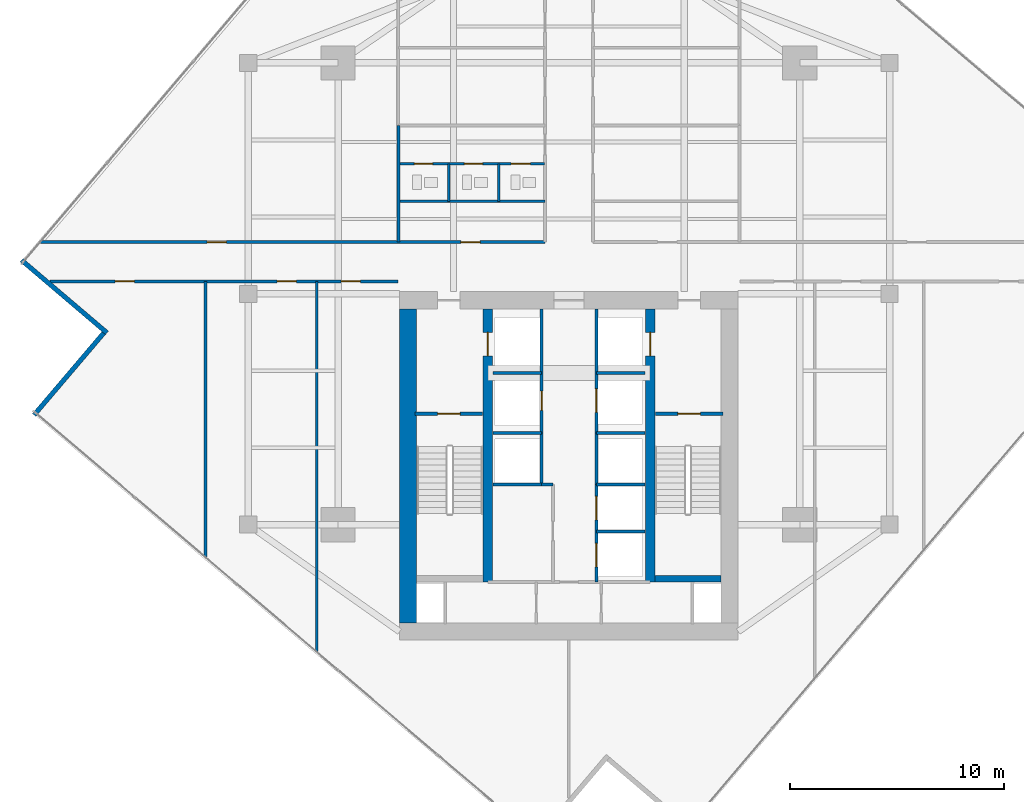
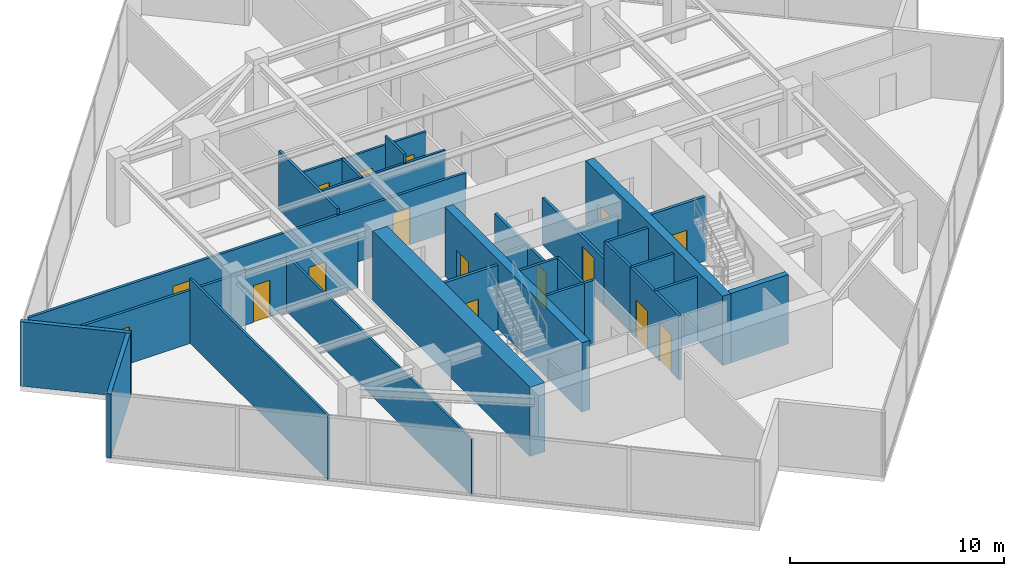
# One storey, part 22 of 26: 30 walls, 16 doors, 16 openings.
"""IFC4 building model written with IfcOpenShell, lengths in metres."""

import ifcopenshell
import ifcopenshell.guid

model = None  # the IFC model being written
_history = None  # IfcOwnerHistory: only IFC2X3 demands one
_inside = {}  # id of a spatial element -> (the spatial element, [elements in it])
_under = {}  # id of a project, library or spatial element -> (it, [spatial elements below it])
_declared = {}  # id of a project -> (the project, [libraries it declares])
_typed = {}  # id of a type object -> (the type object, [elements of that type])
_made_of = {}  # id of a material, layer set ... -> (it, [elements and type objects made of it])


def new_model(schema):
    """Start an empty IFC model of exactly this schema.

    Asked for "IFC4X3", IfcOpenShell would pick the latest addendum, in which some entities
    have other attributes; the version numbers below select the first issue.
    IFC2X3 requires an IfcOwnerHistory on every rooted entity: one is made here for all.
    """
    global model, _history
    if schema == "IFC4X3":
        model = ifcopenshell.file(schema_version=(4, 3, 0, 0))
    else:
        model = ifcopenshell.file(schema=schema)
    _inside.clear()
    _under.clear()
    _declared.clear()
    _typed.clear()
    _made_of.clear()
    _history = None
    if model.schema == "IFC2X3":
        org = make("IfcOrganization", Name="unknown")
        user = make(
            "IfcPersonAndOrganization",
            ThePerson=make("IfcPerson", FamilyName="unknown"),
            TheOrganization=org,
        )
        app = make(
            "IfcApplication",
            ApplicationDeveloper=org,
            Version="unknown",
            ApplicationFullName="unknown",
            ApplicationIdentifier="unknown",
        )
        _history = make(
            "IfcOwnerHistory",
            OwningUser=user,
            OwningApplication=app,
            ChangeAction="ADDED",
            CreationDate=0,
        )
    return model


def make(cls, **values):
    """One entity of the class cls with the attributes given. An attribute that is None is left unset."""
    return model.create_entity(
        cls, **{name: value for name, value in values.items() if value is not None}
    )


def rooted(cls, **values):
    """An entity with a GlobalId (a new one), such as an element, a storey or a relation."""
    return make(cls, GlobalId=ifcopenshell.guid.new(), OwnerHistory=_history, **values)


def si_unit(unit_type, name, prefix=None):
    """IfcSIUnit, for example si_unit("LENGTHUNIT", "METRE", prefix="MILLI")."""
    return make("IfcSIUnit", UnitType=unit_type, Prefix=prefix, Name=name)


def assignment(units):
    """IfcUnitAssignment: the units of a project."""
    return None if units is None else make("IfcUnitAssignment", Units=units)


def point(xyz):
    """IfcCartesianPoint."""
    return None if xyz is None else make("IfcCartesianPoint", Coordinates=xyz)


def direction(xyz):
    """IfcDirection."""
    return None if xyz is None else make("IfcDirection", DirectionRatios=xyz)


def frame(location, z_axis=None, x_axis=None):
    """IfcAxis2Placement3D, a coordinate frame: its origin and axes. An axis left out is left unset."""
    return make(
        "IfcAxis2Placement3D",
        Location=point(location),
        Axis=direction(z_axis),
        RefDirection=direction(x_axis),
    )


def frame_2d(location, x_axis=None):
    """IfcAxis2Placement2D, a coordinate frame in the plane: its origin and x axis."""
    return make(
        "IfcAxis2Placement2D", Location=point(location), RefDirection=direction(x_axis)
    )


def origin():
    """The frame at (0, 0, 0) with its axes left unset."""
    return frame((0.0, 0.0, 0.0))


def place(relative_to, where):
    """IfcLocalPlacement: puts the frame where relative to a parent placement (None: the world)."""
    return make(
        "IfcLocalPlacement", PlacementRelTo=relative_to, RelativePlacement=where
    )


def context(
    kind, dimensions, precision=None, world=None, true_north=None, identifier=None
):
    """IfcGeometricRepresentationContext, for example the 3D "Model" context."""
    return make(
        "IfcGeometricRepresentationContext",
        ContextIdentifier=identifier,
        ContextType=kind,
        CoordinateSpaceDimension=dimensions,
        Precision=precision,
        WorldCoordinateSystem=world,
        TrueNorth=true_north,
    )


def subcontext(parent, identifier, kind, view, scale=None):
    """IfcGeometricRepresentationSubContext, for example "Body" below "Model"."""
    return make(
        "IfcGeometricRepresentationSubContext",
        ContextIdentifier=identifier,
        ContextType=kind,
        ParentContext=parent,
        TargetScale=scale,
        TargetView=view,
    )


def project(units=None, contexts=None):
    """IfcProject with its units and contexts."""
    return rooted(
        "IfcProject",
        Name="project",
        RepresentationContexts=contexts,
        UnitsInContext=assignment(units),
    )


def spatial(cls, under=None, at=None, **own):
    """A site, building, storey or space (cls), placed at a placement, below another one or the project."""
    s = rooted(cls, ObjectPlacement=at, **own)
    if under is not None:
        _under.setdefault(under.id(), (under, []))[1].append(s)
    return s


def profile(cls, at=None, kind="AREA", **sizes):
    """A parametric profile (cls). Its sizes go by their IFC names, for example OverallWidth=200.0."""
    return make(cls, ProfileType=kind, Position=at, **sizes)


def rectangle(**sizes):
    """IfcRectangleProfileDef."""
    return profile("IfcRectangleProfileDef", **sizes)


def extrude(swept, where, along, depth):
    """IfcExtrudedAreaSolid: the profile swept, set in the frame where, extruded along a direction by depth."""
    return make(
        "IfcExtrudedAreaSolid",
        SweptArea=swept,
        Position=where,
        ExtrudedDirection=direction(along),
        Depth=depth,
    )


def shape(context_of_items, identifier, shape_type, items):
    """IfcShapeRepresentation: the items that make up one representation, for example the "Body"."""
    return make(
        "IfcShapeRepresentation",
        ContextOfItems=context_of_items,
        RepresentationIdentifier=identifier,
        RepresentationType=shape_type,
        Items=items,
    )


def material(Name=None, Category=None):
    """IfcMaterial."""
    return make("IfcMaterial", Name=Name, Category=Category)


def layer(
    of_material, thickness, ventilated=None, Name=None, Category=None, Priority=None
):
    """IfcMaterialLayer: one layer of a wall or slab, of a material (None: an air gap)."""
    return make(
        "IfcMaterialLayer",
        Material=of_material,
        LayerThickness=thickness,
        IsVentilated=ventilated,
        Name=Name,
        Category=Category,
        Priority=Priority,
    )


def layer_set(layers, Name=None):
    """IfcMaterialLayerSet."""
    return make("IfcMaterialLayerSet", MaterialLayers=layers, LayerSetName=Name)


def made_of(thing, what):
    """Note that an element or type object is made of a material, layer set ...; save() writes the relation."""
    if what is not None:
        _made_of.setdefault(what.id(), (what, []))[1].append(thing)
    return thing


def type_object(cls, material=None, **own):
    """A type object (cls), such as IfcWallType, which elements share."""
    return made_of(rooted(cls, **own), material)


def element(
    cls,
    number,
    at=None,
    inside=None,
    cuts=None,
    type_object=None,
    material=None,
    context=None,
    identifier="Body",
    shape_type=None,
    held_by="IfcProductDefinitionShape",
    body=None,
    shapes=None,
    **own,
):
    """One element of the class cls, such as IfcWall. Its Tag is "e" and its number.

    at: its placement. inside: the storey or other place that contains it. cuts: it is an
    opening in that element (IfcRelVoidsElement). A single representation is given by context,
    identifier, shape_type and body (its items); several are given by shapes. held_by: the class
    of the entity that holds the representations. save() writes the other relations.
    """
    e = rooted(cls, Tag="e%d" % number, ObjectPlacement=at, **own)
    if body is not None:
        shapes = [shape(context, identifier, shape_type, body)]
    if shapes is not None:
        e.Representation = make(held_by, Representations=shapes)
    if inside is not None:
        _inside.setdefault(inside.id(), (inside, []))[1].append(e)
    if cuts is not None:
        rooted(
            "IfcRelVoidsElement", RelatingBuildingElement=cuts, RelatedOpeningElement=e
        )
    if type_object is not None:
        _typed.setdefault(type_object.id(), (type_object, []))[1].append(e)
    return made_of(e, material)


def fill(opening, filler):
    """IfcRelFillsElement: the door or window that sits in an opening."""
    return rooted(
        "IfcRelFillsElement",
        RelatingOpeningElement=opening,
        RelatedBuildingElement=filler,
    )


def aggregate(whole, parts):
    """IfcRelAggregates: a whole, such as a stair, and the parts it consists of."""
    return rooted("IfcRelAggregates", RelatingObject=whole, RelatedObjects=parts)


def save(model, path):
    """Write the relations noted so far, then the file.

    IfcRelAggregates (storeys below a building ...), IfcRelContainedInSpatialStructure (elements
    in a storey), IfcRelDefinesByType, IfcRelAssociatesMaterial and IfcRelDeclares: one each for
    every whole, place, type object, material and project.
    """
    for whole, parts in _under.values():
        aggregate(whole, parts)
    for where, things in _inside.values():
        rooted(
            "IfcRelContainedInSpatialStructure",
            RelatedElements=things,
            RelatingStructure=where,
        )
    for kind, things in _typed.values():
        rooted("IfcRelDefinesByType", RelatedObjects=things, RelatingType=kind)
    for what, things in _made_of.values():
        rooted("IfcRelAssociatesMaterial", RelatedObjects=things, RelatingMaterial=what)
    for by, libraries in _declared.values():
        rooted("IfcRelDeclares", RelatingContext=by, RelatedDefinitions=libraries)
    model.write(path)


model = new_model("IFC4")

# Units and contexts
model_context = context("Model", 3, precision=1e-05, world=origin(), true_north=direction((0.0, 1.0)))
body_context = subcontext(model_context, "Body", "Model", "MODEL_VIEW")
ifc_project = project(units=[si_unit("LENGTHUNIT", "METRE"), si_unit("AREAUNIT", "SQUARE_METRE"), si_unit("VOLUMEUNIT", "CUBIC_METRE"), si_unit("PLANEANGLEUNIT", "RADIAN"), si_unit("MASSUNIT", "GRAM", prefix="KILO")], contexts=[model_context])

# Site, building, storey
site_placement = place(None, origin())
site = spatial("IfcSite", under=ifc_project, at=site_placement, CompositionType="ELEMENT")
building_placement = place(site_placement, origin())
building = spatial("IfcBuilding", under=site, at=building_placement, Name="Krantzveldt Concourse Tower", CompositionType="ELEMENT")
storey_placement = place(building_placement, frame((0.0, 0.0, 207.300048828125)))
storey = spatial("IfcBuildingStorey", under=building, at=storey_placement, Name="L50", CompositionType="ELEMENT", Elevation=207.300048828125)

# Walls
ifc_material_1 = material(Name="Anodised aluminium 6063-T6", Category="aluminium")
ifc_layer_1 = layer(ifc_material_1, 0.219970703125, Name="Anodised aluminium 6063-T6", Category="aluminium")
ifc_layer_set_1 = layer_set([ifc_layer_1], Name="Anodised aluminium 6063-T6 (WL-EXT-NOTCH220)")
wall_type_1 = type_object("IfcWallType", Name="WL-EXT-NOTCH220", PredefinedType="ELEMENTEDWALL", material=ifc_layer_set_1)
wall_1_placement = place(storey_placement, frame((10.394287109375, 28.271484375, 0.0), z_axis=(0.0, 0.0, 1.0), x_axis=(0.761803778304, -0.647807844474, 0.0)))
element("IfcWall", 1, at=wall_1_placement, inside=storey, type_object=wall_type_1, Name="EW-L50-NCH02", PredefinedType="ELEMENTEDWALL", context=body_context, shape_type="SweptSolid", body=[
    extrude(rectangle(XDim=5.244873046875, YDim=0.219970703125, at=frame_2d((2.62255859375, 0.0))), origin(), (0.0, 0.0, 1.0), 3.669921875),
])
wall_2_placement = place(storey_placement, frame((14.23486328125, 24.861328125, 0.0), z_axis=(0.0, 0.0, 1.0), x_axis=(-0.647765464437, -0.761839814583, 0.0)))
element("IfcWall", 2, at=wall_2_placement, inside=storey, type_object=wall_type_1, Name="EW-L50-NCH03", PredefinedType="ELEMENTEDWALL", context=body_context, shape_type="SweptSolid", body=[
    extrude(rectangle(XDim=5.025146484375, YDim=0.219970703125, at=frame_2d((2.5126953125, 0.0))), origin(), (0.0, 0.0, 1.0), 3.669921875),
])
ifc_material_2 = material(Name="Fire-rated gypsum plasterboard on steel stud", Category="steel")
ifc_layer_2 = layer(ifc_material_2, 0.1201171875, Name="Fire-rated gypsum plasterboard on steel stud", Category="steel")
ifc_layer_set_2 = layer_set([ifc_layer_2], Name="Fire-rated gypsum plasterboard on steel stud (WL-PART-120)")
wall_type_2 = type_object("IfcWallType", Name="WL-PART-120", PredefinedType="PARTITIONING", material=ifc_layer_set_2)
wall_3_placement = place(storey_placement, frame((28.02001953125, 31.02001953125, 0.0), z_axis=(0.0, 0.0, 1.0), x_axis=(1.0, 0.0, 0.0)))
element("IfcWall", 3, at=wall_3_placement, inside=storey, type_object=wall_type_2, Name="WP-L50-ISML", PredefinedType="PARTITIONING", context=body_context, shape_type="SweptSolid", body=[
    extrude(rectangle(XDim=6.85986328125, YDim=0.1201171875, at=frame_2d((3.429931640625, 0.0))), origin(), (0.0, 0.0, 1.0), 3.179931640625),
])

# Wall, openings, doors
wall_4_placement = place(storey_placement, frame((28.050048828125, 32.780029296875, 0.0), z_axis=(0.0, 0.0, 1.0), x_axis=(1.0, 0.0, 0.0)))
wall_4 = element("IfcWall", 4, at=wall_4_placement, inside=storey, type_object=wall_type_2, Name="WP-L50-WCHDR", PredefinedType="PARTITIONING", context=body_context, shape_type="SweptSolid", body=[
    extrude(rectangle(XDim=6.800048828125, YDim=0.1201171875, at=frame_2d((3.39990234375, 0.0))), origin(), (0.0, 0.0, 1.0), 3.179931640625),
])
opening_1_placement = place(wall_4_placement, frame((0.72509765625, 0.0, 0.0)))
opening_1 = element("IfcOpeningElement", 5, at=opening_1_placement, cuts=wall_4, Name="Opening D-IN085", PredefinedType="OPENING", context=body_context, shape_type="SweptSolid", body=[
    extrude(rectangle(XDim=0.85009765625, YDim=2.10009765625, at=frame_2d((0.425048828125, 1.050048828125))), frame((0.0, 0.070068359375, 0.0), z_axis=(0.0, -1.0, 0.0), x_axis=(1.0, 0.0, 0.0)), (0.0, 0.0, 1.0), 0.14013671875),
])
opening_2_placement = place(wall_4_placement, frame((3.06494140625, 0.0, 0.0)))
opening_2 = element("IfcOpeningElement", 6, at=opening_2_placement, cuts=wall_4, Name="Opening D-IN085", PredefinedType="OPENING", context=body_context, shape_type="SweptSolid", body=[
    extrude(rectangle(XDim=0.85009765625, YDim=2.10009765625, at=frame_2d((0.425048828125, 1.050048828125))), frame((0.0, 0.070068359375, 0.0), z_axis=(0.0, -1.0, 0.0), x_axis=(1.0, 0.0, 0.0)), (0.0, 0.0, 1.0), 0.14013671875),
])
opening_3_placement = place(wall_4_placement, frame((5.25, 0.0, 0.0)))
opening_3 = element("IfcOpeningElement", 7, at=opening_3_placement, cuts=wall_4, Name="Opening D-IN090", PredefinedType="OPENING", context=body_context, shape_type="SweptSolid", body=[
    extrude(rectangle(XDim=0.89990234375, YDim=2.10009765625, at=frame_2d((0.449951171875, 1.050048828125))), frame((0.0, 0.070068359375, 0.0), z_axis=(0.0, -1.0, 0.0), x_axis=(1.0, 0.0, 0.0)), (0.0, 0.0, 1.0), 0.14013671875),
])
ifc_material_3 = material(Name="Hardwood timber", Category="wood")
door_type_1 = type_object("IfcDoorType", Name="DR-INT-850", OperationType="SINGLE_SWING_LEFT", PredefinedType="DOOR", material=ifc_material_3)
door_1_placement = place(opening_1_placement, origin())
door_1 = element("IfcDoor", 8, at=door_1_placement, inside=storey, type_object=door_type_1, Name="DR-L50-WCM", OperationType="SINGLE_SWING_LEFT", OverallHeight=2.10009765625, OverallWidth=0.85009765625, PredefinedType="DOOR", context=body_context, shape_type="SweptSolid", body=[
    extrude(rectangle(XDim=0.85009765625, YDim=2.10009765625, at=frame_2d((0.425048828125, 1.050048828125))), frame((0.0, 0.02490234375, 0.0), z_axis=(0.0, -1.0, 0.0), x_axis=(1.0, 0.0, 0.0)), (0.0, 0.0, 1.0), 0.050048828125),
])
fill(opening_1, door_1)
door_2_placement = place(opening_2_placement, origin())
door_2 = element("IfcDoor", 9, at=door_2_placement, inside=storey, type_object=door_type_1, Name="DR-L50-WCF", OperationType="SINGLE_SWING_RIGHT", OverallHeight=2.10009765625, OverallWidth=0.85009765625, PredefinedType="DOOR", context=body_context, shape_type="SweptSolid", body=[
    extrude(rectangle(XDim=0.85009765625, YDim=2.10009765625, at=frame_2d((0.425048828125, 1.050048828125))), frame((0.0, 0.02490234375, 0.0), z_axis=(0.0, -1.0, 0.0), x_axis=(1.0, 0.0, 0.0)), (0.0, 0.0, 1.0), 0.050048828125),
])
fill(opening_2, door_2)
door_type_2 = type_object("IfcDoorType", Name="DR-INT-900", OperationType="SINGLE_SWING_LEFT", PredefinedType="DOOR", material=ifc_material_3)
door_3_placement = place(opening_3_placement, origin())
door_3 = element("IfcDoor", 10, at=door_3_placement, inside=storey, type_object=door_type_2, Name="DR-L50-WCA", OperationType="SINGLE_SWING_LEFT", OverallHeight=2.10009765625, OverallWidth=0.89990234375, PredefinedType="DOOR", context=body_context, shape_type="SweptSolid", body=[
    extrude(rectangle(XDim=0.89990234375, YDim=2.10009765625, at=frame_2d((0.449951171875, 1.050048828125))), frame((0.0, 0.02490234375, 0.0), z_axis=(0.0, -1.0, 0.0), x_axis=(1.0, 0.0, 0.0)), (0.0, 0.0, 1.0), 0.050048828125),
])
fill(opening_3, door_3)

# Walls
wall_5_placement = place(storey_placement, frame((30.3701171875, 31.02001953125, 0.0), z_axis=(0.0, 0.0, 1.0), x_axis=(0.0, 1.0, 0.0)))
element("IfcWall", 11, at=wall_5_placement, inside=storey, type_object=wall_type_2, Name="WP-L50-WCD1", PredefinedType="PARTITIONING", context=body_context, shape_type="SweptSolid", body=[
    extrude(rectangle(XDim=1.760009765625, YDim=0.1201171875, at=frame_2d((0.8798828125, 0.0))), origin(), (0.0, 0.0, 1.0), 3.179931640625),
])
wall_6_placement = place(storey_placement, frame((32.7099609375, 31.02001953125, 0.0), z_axis=(0.0, 0.0, 1.0), x_axis=(0.0, 1.0, 0.0)))
element("IfcWall", 12, at=wall_6_placement, inside=storey, type_object=wall_type_2, Name="WP-L50-WCD2", PredefinedType="PARTITIONING", context=body_context, shape_type="SweptSolid", body=[
    extrude(rectangle(XDim=1.760009765625, YDim=0.1201171875, at=frame_2d((0.8798828125, 0.0))), origin(), (0.0, 0.0, 1.0), 3.669921875),
])
wall_7_placement = place(storey_placement, frame((19.0, 14.3642578125, 0.0), z_axis=(0.0, 0.0, 1.0), x_axis=(0.0, 1.0, 0.0)))
element("IfcWall", 13, at=wall_7_placement, inside=storey, type_object=wall_type_2, Name="WP-L50-SWX1", PredefinedType="PARTITIONING", context=body_context, shape_type="SweptSolid", body=[
    extrude(rectangle(XDim=12.915771484375, YDim=0.1201171875, at=frame_2d((6.4580078125, 0.0))), origin(), (0.0, 0.0, 1.0), 3.669921875),
])
wall_8_placement = place(storey_placement, frame((24.199951171875, 9.942626953125, 0.0), z_axis=(0.0, 0.0, 1.0), x_axis=(0.0, 1.0, 0.0)))
element("IfcWall", 14, at=wall_8_placement, inside=storey, type_object=wall_type_2, Name="WP-L50-SWX2", PredefinedType="PARTITIONING", context=body_context, shape_type="SweptSolid", body=[
    extrude(rectangle(XDim=17.33740234375, YDim=0.1201171875, at=frame_2d((8.668701171875, 0.0))), origin(), (0.0, 0.0, 1.0), 3.179931640625),
])

# Wall, openings, doors
ifc_layer_3 = layer(ifc_material_2, 0.139892578125, Name="Fire-rated gypsum plasterboard on steel stud", Category="steel")
ifc_layer_set_3 = layer_set([ifc_layer_3], Name="Fire-rated gypsum plasterboard on steel stud (WL-PART-140)")
wall_type_3 = type_object("IfcWallType", Name="WL-PART-140", PredefinedType="PARTITIONING", material=ifc_layer_set_3)
wall_9_placement = place(storey_placement, frame((11.2666015625, 29.1201171875, 0.0), z_axis=(0.0, 0.0, 1.0), x_axis=(1.0, 0.0, 0.0)))
wall_9 = element("IfcWall", 15, at=wall_9_placement, inside=storey, type_object=wall_type_3, Name="WP-L50-EWNL", PredefinedType="PARTITIONING", context=body_context, shape_type="SweptSolid", body=[
    extrude(rectangle(XDim=23.61328125, YDim=0.139892578125, at=frame_2d((11.806640625, 0.0))), origin(), (0.0, 0.0, 1.0), 3.030029296875),
])
opening_4_placement = place(wall_9_placement, frame((19.683349609375, 0.0, 0.0)))
opening_4 = element("IfcOpeningElement", 16, at=opening_4_placement, cuts=wall_9, Name="Opening D-IN090", PredefinedType="OPENING", context=body_context, shape_type="SweptSolid", body=[
    extrude(rectangle(XDim=0.89990234375, YDim=2.10009765625, at=frame_2d((0.449951171875, 1.050048828125))), frame((0.0, 0.080078125, 0.0), z_axis=(0.0, -1.0, 0.0), x_axis=(1.0, 0.0, 0.0)), (0.0, 0.0, 1.0), 0.159912109375),
])
opening_5_placement = place(wall_9_placement, frame((7.809326171875, 0.0, 0.0)))
opening_5 = element("IfcOpeningElement", 17, at=opening_5_placement, cuts=wall_9, Name="Opening D-IN090", PredefinedType="OPENING", context=body_context, shape_type="SweptSolid", body=[
    extrude(rectangle(XDim=0.89990234375, YDim=2.10009765625, at=frame_2d((0.449951171875, 1.050048828125))), frame((0.0, 0.080078125, 0.0), z_axis=(0.0, -1.0, 0.0), x_axis=(1.0, 0.0, 0.0)), (0.0, 0.0, 1.0), 0.159912109375),
])
door_4_placement = place(opening_4_placement, origin())
door_4 = element("IfcDoor", 18, at=door_4_placement, inside=storey, type_object=door_type_2, Name="DR-L50-ALCL", OperationType="SINGLE_SWING_LEFT", OverallHeight=2.10009765625, OverallWidth=0.89990234375, PredefinedType="DOOR", context=body_context, shape_type="SweptSolid", body=[
    extrude(rectangle(XDim=0.89990234375, YDim=2.10009765625, at=frame_2d((0.449951171875, 1.050048828125))), frame((0.0, 0.02490234375, 0.0), z_axis=(0.0, -1.0, 0.0), x_axis=(1.0, 0.0, 0.0)), (0.0, 0.0, 1.0), 0.050048828125),
])
fill(opening_4, door_4)
door_5_placement = place(opening_5_placement, origin())
door_5 = element("IfcDoor", 19, at=door_5_placement, inside=storey, type_object=door_type_2, Name="DR-L50-NWX1", OperationType="SINGLE_SWING_LEFT", OverallHeight=2.10009765625, OverallWidth=0.89990234375, PredefinedType="DOOR", context=body_context, shape_type="SweptSolid", body=[
    extrude(rectangle(XDim=0.89990234375, YDim=2.10009765625, at=frame_2d((0.449951171875, 1.050048828125))), frame((0.0, 0.02490234375, 0.0), z_axis=(0.0, -1.0, 0.0), x_axis=(1.0, 0.0, 0.0)), (0.0, 0.0, 1.0), 0.050048828125),
])
fill(opening_5, door_5)

wall_10_placement = place(storey_placement, frame((11.737548828125, 27.280029296875, 0.0), z_axis=(0.0, 0.0, 1.0), x_axis=(1.0, 0.0, 0.0)))
wall_10 = element("IfcWall", 20, at=wall_10_placement, inside=storey, type_object=wall_type_3, Name="WP-L50-EWSL", PredefinedType="PARTITIONING", context=body_context, shape_type="SweptSolid", body=[
    extrude(rectangle(XDim=16.262451171875, YDim=0.139892578125, at=frame_2d((8.13134765625, 0.0))), origin(), (0.0, 0.0, 1.0), 3.030029296875),
])
opening_6_placement = place(wall_10_placement, frame((3.038330078125, 0.0, 0.0)))
opening_6 = element("IfcOpeningElement", 21, at=opening_6_placement, cuts=wall_10, Name="Opening D-IN090", PredefinedType="OPENING", context=body_context, shape_type="SweptSolid", body=[
    extrude(rectangle(XDim=0.89990234375, YDim=2.10009765625, at=frame_2d((0.449951171875, 1.050048828125))), frame((0.0, 0.080078125, 0.0), z_axis=(0.0, -1.0, 0.0), x_axis=(1.0, 0.0, 0.0)), (0.0, 0.0, 1.0), 0.159912109375),
])
opening_7_placement = place(wall_10_placement, frame((10.6123046875, 0.0, 0.0)))
opening_7 = element("IfcOpeningElement", 22, at=opening_7_placement, cuts=wall_10, Name="Opening D-IN090", PredefinedType="OPENING", context=body_context, shape_type="SweptSolid", body=[
    extrude(rectangle(XDim=0.89990234375, YDim=2.10009765625, at=frame_2d((0.449951171875, 1.050048828125))), frame((0.0, 0.080078125, 0.0), z_axis=(0.0, -1.0, 0.0), x_axis=(1.0, 0.0, 0.0)), (0.0, 0.0, 1.0), 0.159912109375),
])
opening_8_placement = place(wall_10_placement, frame((13.6123046875, 0.0, 0.0)))
opening_8 = element("IfcOpeningElement", 23, at=opening_8_placement, cuts=wall_10, Name="Opening D-IN090", PredefinedType="OPENING", context=body_context, shape_type="SweptSolid", body=[
    extrude(rectangle(XDim=0.89990234375, YDim=2.10009765625, at=frame_2d((0.449951171875, 1.050048828125))), frame((0.0, 0.080078125, 0.0), z_axis=(0.0, -1.0, 0.0), x_axis=(1.0, 0.0, 0.0)), (0.0, 0.0, 1.0), 0.159912109375),
])
door_6_placement = place(opening_6_placement, origin())
door_6 = element("IfcDoor", 24, at=door_6_placement, inside=storey, type_object=door_type_2, Name="DR-L50-SWX1", OperationType="SINGLE_SWING_LEFT", OverallHeight=2.10009765625, OverallWidth=0.89990234375, PredefinedType="DOOR", context=body_context, shape_type="SweptSolid", body=[
    extrude(rectangle(XDim=0.89990234375, YDim=2.10009765625, at=frame_2d((0.449951171875, 1.050048828125))), frame((0.0, 0.02490234375, 0.0), z_axis=(0.0, -1.0, 0.0), x_axis=(1.0, 0.0, 0.0)), (0.0, 0.0, 1.0), 0.050048828125),
])
fill(opening_6, door_6)
door_7_placement = place(opening_7_placement, origin())
door_7 = element("IfcDoor", 25, at=door_7_placement, inside=storey, type_object=door_type_2, Name="DR-L50-SWX2", OperationType="SINGLE_SWING_LEFT", OverallHeight=2.10009765625, OverallWidth=0.89990234375, PredefinedType="DOOR", context=body_context, shape_type="SweptSolid", body=[
    extrude(rectangle(XDim=0.89990234375, YDim=2.10009765625, at=frame_2d((0.449951171875, 1.050048828125))), frame((0.0, 0.02490234375, 0.0), z_axis=(0.0, -1.0, 0.0), x_axis=(1.0, 0.0, 0.0)), (0.0, 0.0, 1.0), 0.050048828125),
])
fill(opening_7, door_7)
door_8_placement = place(opening_8_placement, origin())
door_8 = element("IfcDoor", 26, at=door_8_placement, inside=storey, type_object=door_type_2, Name="DR-L50-SWX3", OperationType="SINGLE_SWING_LEFT", OverallHeight=2.10009765625, OverallWidth=0.89990234375, PredefinedType="DOOR", context=body_context, shape_type="SweptSolid", body=[
    extrude(rectangle(XDim=0.89990234375, YDim=2.10009765625, at=frame_2d((0.449951171875, 1.050048828125))), frame((0.0, 0.02490234375, 0.0), z_axis=(0.0, -1.0, 0.0), x_axis=(1.0, 0.0, 0.0)), (0.0, 0.0, 1.0), 0.050048828125),
])
fill(opening_8, door_8)

# Wall
wall_11_placement = place(storey_placement, frame((28.02001953125, 29.1201171875, 0.0), z_axis=(0.0, 0.0, 1.0), x_axis=(0.0, 1.0, 0.0)))
element("IfcWall", 27, at=wall_11_placement, inside=storey, type_object=wall_type_3, Name="WP-L50-ISWL", PredefinedType="PARTITIONING", context=body_context, shape_type="SweptSolid", body=[
    extrude(rectangle(XDim=5.4599609375, YDim=0.139892578125, at=frame_2d((2.72998046875, 0.0))), origin(), (0.0, 0.0, 1.0), 3.369873046875),
])

# Wall, opening, door
ifc_layer_4 = layer(ifc_material_2, 0.139892578125, Name="Fire-rated gypsum plasterboard on steel stud", Category="steel")
ifc_layer_set_4 = layer_set([ifc_layer_4], Name="Fire-rated gypsum plasterboard on steel stud (WL-PART-FR140)")
wall_type_4 = type_object("IfcWallType", Name="WL-PART-FR140", PredefinedType="PARTITIONING", material=ifc_layer_set_4)
wall_12_placement = place(storey_placement, frame((34.719970703125, 20.199951171875, 0.0), z_axis=(0.0, 0.0, 1.0), x_axis=(0.0, 1.0, 0.0)))
wall_12 = element("IfcWall", 28, at=wall_12_placement, inside=storey, type_object=wall_type_4, Name="WP-L50-SHNW", PredefinedType="PARTITIONING", context=body_context, shape_type="SweptSolid", body=[
    extrude(rectangle(XDim=5.780029296875, YDim=0.139892578125, at=frame_2d((2.89013671875, 0.0))), origin(), (0.0, 0.0, 1.0), 2.669921875),
])
opening_9_placement = place(wall_12_placement, frame((1.050048828125, 0.0, 0.0)))
opening_9 = element("IfcOpeningElement", 29, at=opening_9_placement, cuts=wall_12, Name="Opening D-FD090", PredefinedType="OPENING", context=body_context, shape_type="SweptSolid", body=[
    extrude(rectangle(XDim=0.89990234375, YDim=2.10009765625, at=frame_2d((0.449951171875, 1.050048828125))), frame((0.0, 0.080078125, 0.0), z_axis=(0.0, -1.0, 0.0), x_axis=(1.0, 0.0, 0.0)), (0.0, 0.0, 1.0), 0.159912109375),
])
door_type_3 = type_object("IfcDoorType", Name="DR-FD60-900", OperationType="SINGLE_SWING_LEFT", PredefinedType="DOOR", material=ifc_material_3)
door_9_placement = place(opening_9_placement, origin())
door_9 = element("IfcDoor", 30, at=door_9_placement, inside=storey, type_object=door_type_3, Name="Electrical Riser Access Door L50", OperationType="SINGLE_SWING_LEFT", OverallHeight=2.10009765625, OverallWidth=0.89990234375, PredefinedType="DOOR", context=body_context, shape_type="SweptSolid", body=[
    extrude(rectangle(XDim=0.89990234375, YDim=2.10009765625, at=frame_2d((0.449951171875, 1.050048828125))), frame((0.0, 0.02490234375, 0.0), z_axis=(0.0, -1.0, 0.0), x_axis=(1.0, 0.0, 0.0)), (0.0, 0.0, 1.0), 0.050048828125),
])
fill(opening_9, door_9)

wall_13_placement = place(storey_placement, frame((37.280029296875, 20.199951171875, 0.0), z_axis=(0.0, 0.0, 1.0), x_axis=(0.0, 1.0, 0.0)))
wall_13 = element("IfcWall", 31, at=wall_13_placement, inside=storey, type_object=wall_type_4, Name="WP-L50-SHNE", PredefinedType="PARTITIONING", context=body_context, shape_type="SweptSolid", body=[
    extrude(rectangle(XDim=5.780029296875, YDim=0.139892578125, at=frame_2d((2.89013671875, 0.0))), origin(), (0.0, 0.0, 1.0), 2.669921875),
])
opening_10_placement = place(wall_13_placement, frame((0.949951171875, 0.0, 0.0)))
opening_10 = element("IfcOpeningElement", 32, at=opening_10_placement, cuts=wall_13, Name="Opening LD", PredefinedType="OPENING", context=body_context, shape_type="SweptSolid", body=[
    extrude(rectangle(XDim=1.10009765625, YDim=2.14990234375, at=frame_2d((0.550048828125, 1.074951171875))), frame((0.0, 0.080078125, 0.0), z_axis=(0.0, -1.0, 0.0), x_axis=(1.0, 0.0, 0.0)), (0.0, 0.0, 1.0), 0.159912109375),
])
ifc_material_4 = material(Name="Stainless steel 316L", Category="steel")
door_type_4 = type_object("IfcDoorType", Name="DR-SLIDE-LD1100", OperationType="DOUBLE_DOOR_SLIDING", PredefinedType="DOOR", material=ifc_material_4)
door_10_placement = place(opening_10_placement, origin())
door_10 = element("IfcDoor", 33, at=door_10_placement, inside=storey, type_object=door_type_4, Name="LD-L50-GL1", OperationType="DOUBLE_DOOR_SLIDING", OverallHeight=2.14990234375, OverallWidth=1.10009765625, PredefinedType="DOOR", context=body_context, shape_type="SweptSolid", body=[
    extrude(rectangle(XDim=1.10009765625, YDim=2.14990234375, at=frame_2d((0.550048828125, 1.074951171875))), frame((0.0, 0.02490234375, 0.0), z_axis=(0.0, -1.0, 0.0), x_axis=(1.0, 0.0, 0.0)), (0.0, 0.0, 1.0), 0.050048828125),
])
fill(opening_10, door_10)

# Walls
for number, where, z_axis, x_axis, name in (
    (34, (32.449951171875, 23.0, 0.0), (0.0, 0.0, 1.0), (1.0, 0.0, 0.0), "WP-L50-RISH"),
    (35, (37.280029296875, 23.0, 0.0), (0.0, 0.0, 1.0), (1.0, 0.0, 0.0), "WP-L50-GLH"),
):
    element("IfcWall", number, at=place(storey_placement, frame(where, z_axis=z_axis, x_axis=x_axis)), inside=storey, type_object=wall_type_4, Name=name, PredefinedType="PARTITIONING", context=body_context, shape_type="SweptSolid", body=[
        extrude(rectangle(XDim=2.27001953125, YDim=0.139892578125, at=frame_2d((1.135009765625, 0.0))), origin(), (0.0, 0.0, 1.0), 2.669921875),
    ])
for number, where, z_axis, x_axis, name in (
    (36, (34.719970703125, 17.780029296875, 0.0), (0.0, 0.0, 1.0), (0.0, 1.0, 0.0), "WP-L50-SHNW2"),
    (37, (37.280029296875, 17.780029296875, 0.0), (0.0, 0.0, 1.0), (0.0, 1.0, 0.0), "WP-L50-SHNE2"),
):
    element("IfcWall", number, at=place(storey_placement, frame(where, z_axis=z_axis, x_axis=x_axis)), inside=storey, type_object=wall_type_4, Name=name, PredefinedType="PARTITIONING", context=body_context, shape_type="SweptSolid", body=[
        extrude(rectangle(XDim=2.419921875, YDim=0.139892578125, at=frame_2d((1.2099609375, 0.0))), origin(), (0.0, 0.0, 1.0), 3.669921875),
    ])
for number, where, z_axis, x_axis, name in (
    (38, (32.449951171875, 17.780029296875, 0.0), (0.0, 0.0, 1.0), (1.0, 0.0, 0.0), "WP-L50-DIVW2"),
    (39, (32.449951171875, 20.179931640625, 0.0), (0.0, 0.0, 1.0), (1.0, 0.0, 0.0), "WP-L50-DIVW3"),
    (40, (37.280029296875, 17.780029296875, 0.0), (0.0, 0.0, 1.0), (1.0, 0.0, 0.0), "WP-L50-DIVE2"),
    (41, (37.280029296875, 20.179931640625, 0.0), (0.0, 0.0, 1.0), (1.0, 0.0, 0.0), "WP-L50-DIVE3"),
):
    element("IfcWall", number, at=place(storey_placement, frame(where, z_axis=z_axis, x_axis=x_axis)), inside=storey, type_object=wall_type_4, Name=name, PredefinedType="PARTITIONING", context=body_context, shape_type="SweptSolid", body=[
        extrude(rectangle(XDim=2.27001953125, YDim=0.139892578125, at=frame_2d((1.135009765625, 0.0))), origin(), (0.0, 0.0, 1.0), 3.669921875),
    ])
wall_14_placement = place(storey_placement, frame((34.719970703125, 17.780029296875, 0.0), z_axis=(0.0, 0.0, 1.0), x_axis=(1.0, 0.0, 0.0)))
element("IfcWall", 42, at=wall_14_placement, inside=storey, type_object=wall_type_4, Name="WP-L50-RECWN", PredefinedType="PARTITIONING", context=body_context, shape_type="SweptSolid", body=[
    extrude(rectangle(XDim=0.530029296875, YDim=0.139892578125, at=frame_2d((0.26513671875, 0.0))), origin(), (0.0, 0.0, 1.0), 3.669921875),
])

# Wall, openings, doors
wall_15_placement = place(storey_placement, frame((37.280029296875, 13.219970703125, 0.0), z_axis=(0.0, 0.0, 1.0), x_axis=(0.0, 1.0, 0.0)))
wall_15 = element("IfcWall", 43, at=wall_15_placement, inside=storey, type_object=wall_type_4, Name="WP-L50-SHSE", PredefinedType="PARTITIONING", context=body_context, shape_type="SweptSolid", body=[
    extrude(rectangle(XDim=4.56005859375, YDim=0.139892578125, at=frame_2d((2.280029296875, 0.0))), origin(), (0.0, 0.0, 1.0), 3.669921875),
])
opening_11_placement = place(wall_15_placement, frame((0.7099609375, 0.0, 0.0)))
opening_11 = element("IfcOpeningElement", 44, at=opening_11_placement, cuts=wall_15, Name="Opening LD", PredefinedType="OPENING", context=body_context, shape_type="SweptSolid", body=[
    extrude(rectangle(XDim=1.10009765625, YDim=2.14990234375, at=frame_2d((0.550048828125, 1.074951171875))), frame((0.0, 0.080078125, 0.0), z_axis=(0.0, -1.0, 0.0), x_axis=(1.0, 0.0, 0.0)), (0.0, 0.0, 1.0), 0.159912109375),
])
opening_12_placement = place(wall_15_placement, frame((2.909912109375, 0.0, 0.0)))
opening_12 = element("IfcOpeningElement", 45, at=opening_12_placement, cuts=wall_15, Name="Opening LD", PredefinedType="OPENING", context=body_context, shape_type="SweptSolid", body=[
    extrude(rectangle(XDim=1.10009765625, YDim=2.14990234375, at=frame_2d((0.550048828125, 1.074951171875))), frame((0.0, 0.080078125, 0.0), z_axis=(0.0, -1.0, 0.0), x_axis=(1.0, 0.0, 0.0)), (0.0, 0.0, 1.0), 0.159912109375),
])
door_11_placement = place(opening_11_placement, origin())
door_11 = element("IfcDoor", 46, at=door_11_placement, inside=storey, type_object=door_type_4, Name="LD-L50-PM1", OperationType="DOUBLE_DOOR_SLIDING", OverallHeight=2.14990234375, OverallWidth=1.10009765625, PredefinedType="DOOR", context=body_context, shape_type="SweptSolid", body=[
    extrude(rectangle(XDim=1.10009765625, YDim=2.14990234375, at=frame_2d((0.550048828125, 1.074951171875))), frame((0.0, 0.02490234375, 0.0), z_axis=(0.0, -1.0, 0.0), x_axis=(1.0, 0.0, 0.0)), (0.0, 0.0, 1.0), 0.050048828125),
])
fill(opening_11, door_11)
door_12_placement = place(opening_12_placement, origin())
door_12 = element("IfcDoor", 47, at=door_12_placement, inside=storey, type_object=door_type_4, Name="LD-L50-PM2", OperationType="DOUBLE_DOOR_SLIDING", OverallHeight=2.14990234375, OverallWidth=1.10009765625, PredefinedType="DOOR", context=body_context, shape_type="SweptSolid", body=[
    extrude(rectangle(XDim=1.10009765625, YDim=2.14990234375, at=frame_2d((0.550048828125, 1.074951171875))), frame((0.0, 0.02490234375, 0.0), z_axis=(0.0, -1.0, 0.0), x_axis=(1.0, 0.0, 0.0)), (0.0, 0.0, 1.0), 0.050048828125),
])
fill(opening_12, door_12)

# Wall
wall_16_placement = place(storey_placement, frame((37.280029296875, 15.580078125, 0.0), z_axis=(0.0, 0.0, 1.0), x_axis=(1.0, 0.0, 0.0)))
element("IfcWall", 48, at=wall_16_placement, inside=storey, type_object=wall_type_4, Name="WP-L50-DIVE1", PredefinedType="PARTITIONING", context=body_context, shape_type="SweptSolid", body=[
    extrude(rectangle(XDim=2.27001953125, YDim=0.139892578125, at=frame_2d((1.135009765625, 0.0))), origin(), (0.0, 0.0, 1.0), 3.669921875),
])

# Wall, opening, door
ifc_layer_5 = layer(ifc_material_2, 0.159912109375, Name="Fire-rated gypsum plasterboard on steel stud", Category="steel")
ifc_layer_set_5 = layer_set([ifc_layer_5], Name="Fire-rated gypsum plasterboard on steel stud (WL-PART-FR160)")
wall_type_5 = type_object("IfcWallType", Name="WL-PART-FR160", PredefinedType="PARTITIONING", material=ifc_layer_set_5)
wall_17_placement = place(storey_placement, frame((28.800048828125, 21.080078125, 0.0), z_axis=(0.0, 0.0, 1.0), x_axis=(1.0, 0.0, 0.0)))
wall_17 = element("IfcWall", 49, at=wall_17_placement, inside=storey, type_object=wall_type_5, Name="WP-L50-ST1", PredefinedType="PARTITIONING", context=body_context, shape_type="SweptSolid", body=[
    extrude(rectangle(XDim=3.159912109375, YDim=0.159912109375, at=frame_2d((1.580078125, 0.0))), origin(), (0.0, 0.0, 1.0), 3.669921875),
])
opening_13_placement = place(wall_17_placement, frame((1.054931640625, 0.0, 0.0)))
opening_13 = element("IfcOpeningElement", 50, at=opening_13_placement, cuts=wall_17, Name="Opening D-FD105", PredefinedType="OPENING", context=body_context, shape_type="SweptSolid", body=[
    extrude(rectangle(XDim=1.050048828125, YDim=2.10009765625, at=frame_2d((0.52490234375, 1.050048828125))), frame((0.0, 0.08984375, 0.0), z_axis=(0.0, -1.0, 0.0), x_axis=(1.0, 0.0, 0.0)), (0.0, 0.0, 1.0), 0.179931640625),
])
ifc_material_5 = material(Name="Galvanised steel", Category="steel")
door_type_5 = type_object("IfcDoorType", Name="DR-FD120-1050", OperationType="SINGLE_SWING_LEFT", PredefinedType="DOOR", material=ifc_material_5)
door_13_placement = place(opening_13_placement, origin())
door_13 = element("IfcDoor", 51, at=door_13_placement, inside=storey, type_object=door_type_5, Name="DR-L50-ST1", OperationType="SINGLE_SWING_RIGHT", OverallHeight=2.10009765625, OverallWidth=1.050048828125, PredefinedType="DOOR", context=body_context, shape_type="SweptSolid", body=[
    extrude(rectangle(XDim=1.050048828125, YDim=2.10009765625, at=frame_2d((0.52490234375, 1.050048828125))), frame((0.0, 0.02490234375, 0.0), z_axis=(0.0, -1.0, 0.0), x_axis=(1.0, 0.0, 0.0)), (0.0, 0.0, 1.0), 0.050048828125),
])
fill(opening_13, door_13)

wall_18_placement = place(storey_placement, frame((40.0400390625, 21.080078125, 0.0), z_axis=(0.0, 0.0, 1.0), x_axis=(1.0, 0.0, 0.0)))
wall_18 = element("IfcWall", 52, at=wall_18_placement, inside=storey, type_object=wall_type_5, Name="WP-L50-ST2", PredefinedType="PARTITIONING", context=body_context, shape_type="SweptSolid", body=[
    extrude(rectangle(XDim=3.159912109375, YDim=0.159912109375, at=frame_2d((1.580078125, 0.0))), origin(), (0.0, 0.0, 1.0), 3.669921875),
])
opening_14_placement = place(wall_18_placement, frame((1.054931640625, 0.0, 0.0)))
opening_14 = element("IfcOpeningElement", 53, at=opening_14_placement, cuts=wall_18, Name="Opening D-FD105", PredefinedType="OPENING", context=body_context, shape_type="SweptSolid", body=[
    extrude(rectangle(XDim=1.050048828125, YDim=2.10009765625, at=frame_2d((0.52490234375, 1.050048828125))), frame((0.0, 0.08984375, 0.0), z_axis=(0.0, -1.0, 0.0), x_axis=(1.0, 0.0, 0.0)), (0.0, 0.0, 1.0), 0.179931640625),
])
door_14_placement = place(opening_14_placement, origin())
door_14 = element("IfcDoor", 54, at=door_14_placement, inside=storey, type_object=door_type_5, Name="DR-L50-ST2", OperationType="SINGLE_SWING_LEFT", OverallHeight=2.10009765625, OverallWidth=1.050048828125, PredefinedType="DOOR", context=body_context, shape_type="SweptSolid", body=[
    extrude(rectangle(XDim=1.050048828125, YDim=2.10009765625, at=frame_2d((0.52490234375, 1.050048828125))), frame((0.0, 0.02490234375, 0.0), z_axis=(0.0, -1.0, 0.0), x_axis=(1.0, 0.0, 0.0)), (0.0, 0.0, 1.0), 0.050048828125),
])
fill(opening_14, door_14)

# Wall
ifc_material_6 = material(Name="Concrete C50/60", Category="concrete")
ifc_layer_6 = layer(ifc_material_6, 0.300048828125, Name="Concrete C50/60", Category="concrete")
ifc_layer_set_6 = layer_set([ifc_layer_6], Name="Concrete C50/60 (WL-SHEAR-300)")
wall_type_6 = type_object("IfcWallType", Name="WL-SHEAR-300", PredefinedType="SHEAR", material=ifc_layer_set_6)
wall_19_placement = place(storey_placement, frame((40.02001953125, 13.3701171875, 0.0), z_axis=(0.0, 0.0, 1.0), x_axis=(1.0, 0.0, 0.0)))
element("IfcWall", 55, at=wall_19_placement, inside=storey, type_object=wall_type_6, Name="CW-L50-ST2S", PredefinedType="SHEAR", context=body_context, shape_type="SweptSolid", body=[
    extrude(rectangle(XDim=3.10009765625, YDim=0.300048828125, at=frame_2d((1.550048828125, 0.0))), origin(), (0.0, 0.0, 1.0), 3.949951171875),
])

# Wall, opening, door
ifc_layer_7 = layer(ifc_material_6, 0.449951171875, Name="Concrete C50/60", Category="concrete")
ifc_layer_set_7 = layer_set([ifc_layer_7], Name="Concrete C50/60 (WL-SHEAR-450)")
wall_type_7 = type_object("IfcWallType", Name="WL-SHEAR-450", PredefinedType="SHEAR", material=ifc_layer_set_7)
wall_20_placement = place(storey_placement, frame((32.205078125, 13.219970703125, 0.0), z_axis=(0.0, 0.0, 1.0), x_axis=(0.0, 1.0, 0.0)))
wall_20 = element("IfcWall", 56, at=wall_20_placement, inside=storey, type_object=wall_type_7, Name="CW-L50-IW", PredefinedType="SHEAR", context=body_context, shape_type="SweptSolid", body=[
    extrude(rectangle(XDim=12.780029296875, YDim=0.449951171875, at=frame_2d((6.39013671875, 0.0))), origin(), (0.0, 0.0, 1.0), 3.949951171875),
])
opening_15_placement = place(wall_20_placement, frame((10.580078125, 0.0, 0.0)))
opening_15 = element("IfcOpeningElement", 57, at=opening_15_placement, cuts=wall_20, Name="Opening LD", PredefinedType="OPENING", context=body_context, shape_type="SweptSolid", body=[
    extrude(rectangle(XDim=1.10009765625, YDim=2.14990234375, at=frame_2d((0.550048828125, 1.074951171875))), frame((0.0, 0.23486328125, 0.0), z_axis=(0.0, -1.0, 0.0), x_axis=(1.0, 0.0, 0.0)), (0.0, 0.0, 1.0), 0.469970703125),
])
door_15_placement = place(opening_15_placement, origin())
door_15 = element("IfcDoor", 58, at=door_15_placement, inside=storey, type_object=door_type_4, Name="LD-L50-FL1", OperationType="DOUBLE_DOOR_SLIDING", OverallHeight=2.14990234375, OverallWidth=1.10009765625, PredefinedType="DOOR", context=body_context, shape_type="SweptSolid", body=[
    extrude(rectangle(XDim=1.10009765625, YDim=2.14990234375, at=frame_2d((0.550048828125, 1.074951171875))), frame((0.0, 0.02490234375, 0.0), z_axis=(0.0, -1.0, 0.0), x_axis=(1.0, 0.0, 0.0)), (0.0, 0.0, 1.0), 0.050048828125),
])
fill(opening_15, door_15)

wall_21_placement = place(storey_placement, frame((39.794921875, 13.219970703125, 0.0), z_axis=(0.0, 0.0, 1.0), x_axis=(0.0, 1.0, 0.0)))
wall_21 = element("IfcWall", 59, at=wall_21_placement, inside=storey, type_object=wall_type_7, Name="CW-L50-IE", PredefinedType="SHEAR", context=body_context, shape_type="SweptSolid", body=[
    extrude(rectangle(XDim=12.780029296875, YDim=0.449951171875, at=frame_2d((6.39013671875, 0.0))), origin(), (0.0, 0.0, 1.0), 3.949951171875),
])
opening_16_placement = place(wall_21_placement, frame((10.580078125, 0.0, 0.0)))
opening_16 = element("IfcOpeningElement", 60, at=opening_16_placement, cuts=wall_21, Name="Opening LD", PredefinedType="OPENING", context=body_context, shape_type="SweptSolid", body=[
    extrude(rectangle(XDim=1.10009765625, YDim=2.14990234375, at=frame_2d((0.550048828125, 1.074951171875))), frame((0.0, 0.23486328125, 0.0), z_axis=(0.0, -1.0, 0.0), x_axis=(1.0, 0.0, 0.0)), (0.0, 0.0, 1.0), 0.469970703125),
])
door_16_placement = place(opening_16_placement, origin())
door_16 = element("IfcDoor", 61, at=door_16_placement, inside=storey, type_object=door_type_4, Name="LD-L50-FL2", OperationType="DOUBLE_DOOR_SLIDING", OverallHeight=2.14990234375, OverallWidth=1.10009765625, PredefinedType="DOOR", context=body_context, shape_type="SweptSolid", body=[
    extrude(rectangle(XDim=1.10009765625, YDim=2.14990234375, at=frame_2d((0.550048828125, 1.074951171875))), frame((0.0, 0.02490234375, 0.0), z_axis=(0.0, -1.0, 0.0), x_axis=(1.0, 0.0, 0.0)), (0.0, 0.0, 1.0), 0.050048828125),
])
fill(opening_16, door_16)

# Wall
ifc_material_7 = material(Name="Concrete C60/75", Category="concrete")
ifc_layer_8 = layer(ifc_material_7, 0.800048828125, Name="Concrete C60/75", Category="concrete")
ifc_layer_set_8 = layer_set([ifc_layer_8], Name="Concrete C60/75 (WL-SHEAR-800)")
wall_type_8 = type_object("IfcWallType", Name="WL-SHEAR-800", PredefinedType="SHEAR", material=ifc_layer_set_8)
wall_22_placement = place(storey_placement, frame((28.47998046875, 11.300048828125, 0.0), z_axis=(0.0, 0.0, 1.0), x_axis=(0.0, 1.0, 0.0)))
element("IfcWall", 62, at=wall_22_placement, inside=storey, type_object=wall_type_8, Name="CW-L50-W", PredefinedType="SHEAR", context=body_context, shape_type="SweptSolid", body=[
    extrude(rectangle(XDim=14.699951171875, YDim=0.800048828125, at=frame_2d((7.35009765625, 0.0))), origin(), (0.0, 0.0, 1.0), 3.949951171875),
])

save(model, "model.ifc")
